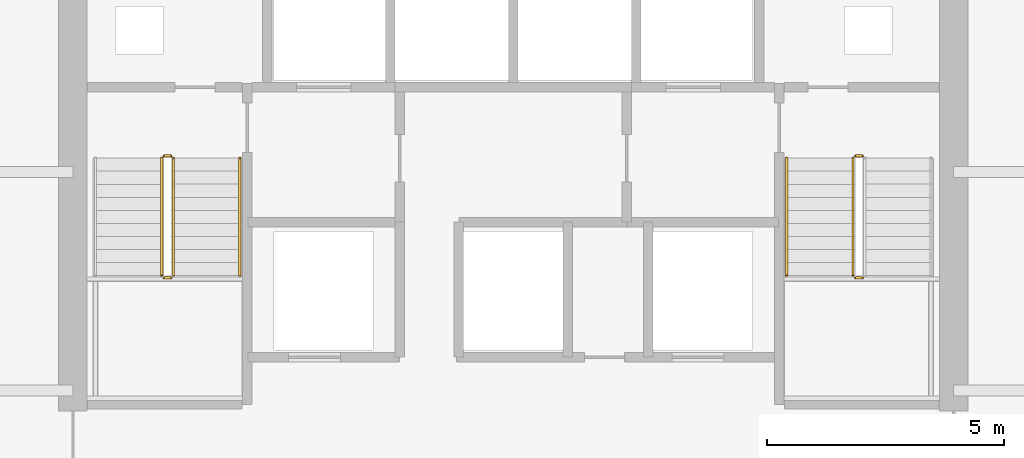
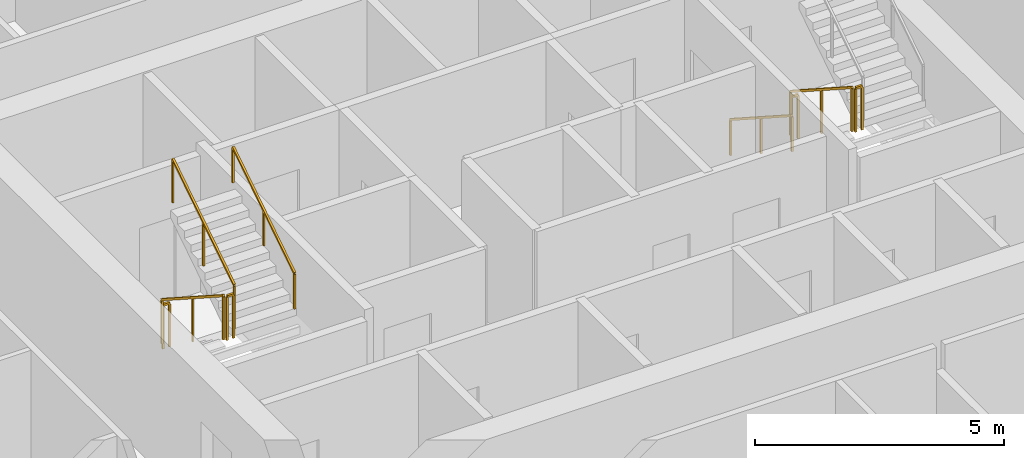
# One storey, part 11 of 12: 9 railings.
"""IFC4 building model written with IfcOpenShell, lengths in metres."""

from ifc_helpers import new_model, si_unit, direction, frame, origin, origin_2d, place, context, subcontext, project, spatial, rectangle, extrude, material, type_object, element, save


model = new_model("IFC4")

# Units and contexts
model_context = context("Model", 3, precision=1e-05, world=origin(), true_north=direction((0.0, 1.0)))
body_context = subcontext(model_context, "Body", "Model", "MODEL_VIEW")
ifc_project = project(units=[si_unit("LENGTHUNIT", "METRE"), si_unit("AREAUNIT", "SQUARE_METRE"), si_unit("VOLUMEUNIT", "CUBIC_METRE"), si_unit("PLANEANGLEUNIT", "RADIAN"), si_unit("MASSUNIT", "GRAM", prefix="KILO")], contexts=[model_context])

# Site, building, storey
site_placement = place(None, origin())
site = spatial("IfcSite", under=ifc_project, at=site_placement, CompositionType="ELEMENT")
building_placement = place(site_placement, origin())
building = spatial("IfcBuilding", under=site, at=building_placement, Name="Cinnabar Lancet Tower", CompositionType="ELEMENT")
storey_placement = place(building_placement, frame((0.0, 0.0, 153.5)))
storey = spatial("IfcBuildingStorey", under=building, at=storey_placement, Name="L40", CompositionType="ELEMENT", Elevation=153.5)

# Railings
ifc_material_1 = material(Name="Painted galvanized steel balustrade", Category="steel")
railing_type_1 = type_object("IfcRailingType", Name="GUARD-STAIR", PredefinedType="GUARDRAIL", material=ifc_material_1)
railing_1_placement = place(storey_placement, frame((24.97509765625, 28.39990234375, 0.177490234375)))
element("IfcRailing", 1, at=railing_1_placement, inside=storey, type_object=railing_type_1, Name="L40 ST-1 stair guard 1", PredefinedType="GUARDRAIL", context=body_context, shape_type="SweptSolid", body=[
    extrude(rectangle(XDim=0.048095703125, YDim=0.048095703125, at=origin_2d()), frame((0.0, 0.0, 1.076171875), z_axis=(0.0, -0.840183358697, 0.542302428327), x_axis=(1.0, 0.0, 0.0)), (0.0, 0.0, 1.0), 2.945556640625),
    extrude(rectangle(XDim=0.0419921875, YDim=0.0419921875, at=origin_2d()), origin(), (0.0, 0.0, 1.0), 1.052001953125),
    extrude(rectangle(XDim=0.0419921875, YDim=0.0419921875, at=origin_2d()), frame((0.0, -1.2373046875, 0.798828125)), (0.0, 0.0, 1.0), 1.052001953125),
    extrude(rectangle(XDim=0.0419921875, YDim=0.0419921875, at=origin_2d()), frame((0.0, -2.474853515625, 1.597412109375)), (0.0, 0.0, 1.0), 1.052001953125),
])
railing_2_placement = place(storey_placement, frame((25.02490234375, 25.875, 1.77490234375)))
element("IfcRailing", 2, at=railing_2_placement, inside=storey, type_object=railing_type_1, Name="L40 ST-1 stair guard 2", PredefinedType="GUARDRAIL", context=body_context, shape_type="SweptSolid", body=[
    extrude(rectangle(XDim=0.048095703125, YDim=0.048095703125, at=origin_2d()), frame((0.0, 0.0, 1.076171875), z_axis=(1.0, 0.0, 0.0), x_axis=(0.0, 1.0, 0.0)), (0.0, 0.0, 1.0), 0.150146484375),
    extrude(rectangle(XDim=0.0419921875, YDim=0.0419921875, at=origin_2d()), origin(), (0.0, 0.0, 1.0), 1.052001953125),
    extrude(rectangle(XDim=0.0419921875, YDim=0.0419921875, at=origin_2d()), frame((0.150146484375, 0.0, 0.0)), (0.0, 0.0, 1.0), 1.052001953125),
])
railing_3_placement = place(storey_placement, frame((25.22509765625, 25.925048828125, 1.952392578125)))
element("IfcRailing", 3, at=railing_3_placement, inside=storey, type_object=railing_type_1, Name="L40 ST-1 stair guard 3", PredefinedType="GUARDRAIL", context=body_context, shape_type="SweptSolid", body=[
    extrude(rectangle(XDim=0.048095703125, YDim=0.048095703125, at=origin_2d()), frame((0.0, 0.0, 1.076171875), z_axis=(0.0, 0.84014559416, 0.542360932049), x_axis=(-1.0, 0.0, 0.0)), (0.0, 0.0, 1.0), 2.94580078125),
    extrude(rectangle(XDim=0.0419921875, YDim=0.0419921875, at=origin_2d()), origin(), (0.0, 0.0, 1.0), 1.052001953125),
    extrude(rectangle(XDim=0.0419921875, YDim=0.0419921875, at=origin_2d()), frame((0.0, 1.2373046875, 0.798828125)), (0.0, 0.0, 1.0), 1.052001953125),
    extrude(rectangle(XDim=0.0419921875, YDim=0.0419921875, at=origin_2d()), frame((0.0, 2.474853515625, 1.59765625)), (0.0, 0.0, 1.0), 1.052001953125),
])
railing_4_placement = place(storey_placement, frame((25.02490234375, 28.449951171875, 0.0)))
element("IfcRailing", 4, at=railing_4_placement, inside=storey, type_object=railing_type_1, Name="L40 ST-1 stair guard 4", PredefinedType="GUARDRAIL", context=body_context, shape_type="SweptSolid", body=[
    extrude(rectangle(XDim=0.048095703125, YDim=0.048095703125, at=origin_2d()), frame((0.0, 0.0, 1.076171875), z_axis=(1.0, 0.0, 0.0), x_axis=(0.0, 1.0, 0.0)), (0.0, 0.0, 1.0), 0.150146484375),
    extrude(rectangle(XDim=0.0419921875, YDim=0.0419921875, at=origin_2d()), origin(), (0.0, 0.0, 1.0), 1.052001953125),
    extrude(rectangle(XDim=0.0419921875, YDim=0.0419921875, at=origin_2d()), frame((0.150146484375, 0.0, 0.0)), (0.0, 0.0, 1.0), 1.052001953125),
])
railing_5_placement = place(storey_placement, frame((39.574951171875, 28.39990234375, 0.177490234375)))
element("IfcRailing", 5, at=railing_5_placement, inside=storey, type_object=railing_type_1, Name="L40 ST-2 stair guard 1", PredefinedType="GUARDRAIL", context=body_context, shape_type="SweptSolid", body=[
    extrude(rectangle(XDim=0.048095703125, YDim=0.048095703125, at=origin_2d()), frame((0.0, 0.0, 1.076171875), z_axis=(0.0, -0.840183358697, 0.542302428327), x_axis=(1.0, 0.0, 0.0)), (0.0, 0.0, 1.0), 2.945556640625),
    extrude(rectangle(XDim=0.0419921875, YDim=0.0419921875, at=origin_2d()), origin(), (0.0, 0.0, 1.0), 1.052001953125),
    extrude(rectangle(XDim=0.0419921875, YDim=0.0419921875, at=origin_2d()), frame((0.0, -1.2373046875, 0.798828125)), (0.0, 0.0, 1.0), 1.052001953125),
    extrude(rectangle(XDim=0.0419921875, YDim=0.0419921875, at=origin_2d()), frame((0.0, -2.474853515625, 1.597412109375)), (0.0, 0.0, 1.0), 1.052001953125),
])
for number, where, name in (
    (6, (39.625, 25.875, 1.77490234375), "L40 ST-2 stair guard 2"),
    (7, (39.625, 28.449951171875, 0.0), "L40 ST-2 stair guard 4"),
):
    element("IfcRailing", number, at=place(storey_placement, frame(where)), inside=storey, type_object=railing_type_1, Name=name, PredefinedType="GUARDRAIL", context=body_context, shape_type="SweptSolid", body=[
        extrude(rectangle(XDim=0.048095703125, YDim=0.048095703125, at=origin_2d()), frame((0.0, 0.0, 1.076171875), z_axis=(1.0, 0.0, 0.0), x_axis=(0.0, 1.0, 0.0)), (0.0, 0.0, 1.0), 0.14990234375),
        extrude(rectangle(XDim=0.0419921875, YDim=0.0419921875, at=origin_2d()), origin(), (0.0, 0.0, 1.0), 1.052001953125),
        extrude(rectangle(XDim=0.0419921875, YDim=0.0419921875, at=origin_2d()), frame((0.14990234375, 0.0, 0.0)), (0.0, 0.0, 1.0), 1.052001953125),
    ])
ifc_material_2 = material(Name="Brushed stainless steel handrail", Category="steel")
railing_type_2 = type_object("IfcRailingType", Name="HANDRAIL-STAIR", PredefinedType="HANDRAIL", material=ifc_material_2)
railing_6_placement = place(storey_placement, frame((26.625, 25.925048828125, 1.952392578125)))
element("IfcRailing", 8, at=railing_6_placement, inside=storey, type_object=railing_type_2, Name="L40 ST-1 stair handrail 2", PredefinedType="HANDRAIL", context=body_context, shape_type="SweptSolid", body=[
    extrude(rectangle(XDim=0.048095703125, YDim=0.048095703125, at=origin_2d()), frame((0.0, 0.0, 0.8759765625), z_axis=(0.0, 0.84014559416, 0.542360932049), x_axis=(-1.0, 0.0, 0.0)), (0.0, 0.0, 1.0), 2.94580078125),
    extrude(rectangle(XDim=0.0419921875, YDim=0.0419921875, at=origin_2d()), origin(), (0.0, 0.0, 1.0), 0.851806640625),
    extrude(rectangle(XDim=0.0419921875, YDim=0.0419921875, at=origin_2d()), frame((0.0, 1.2373046875, 0.798828125)), (0.0, 0.0, 1.0), 0.851806640625),
    extrude(rectangle(XDim=0.0419921875, YDim=0.0419921875, at=origin_2d()), frame((0.0, 2.474853515625, 1.59765625)), (0.0, 0.0, 1.0), 0.851806640625),
])
railing_7_placement = place(storey_placement, frame((38.175048828125, 28.39990234375, 0.177490234375)))
element("IfcRailing", 9, at=railing_7_placement, inside=storey, type_object=railing_type_2, Name="L40 ST-2 stair handrail 1", PredefinedType="HANDRAIL", context=body_context, shape_type="SweptSolid", body=[
    extrude(rectangle(XDim=0.048095703125, YDim=0.048095703125, at=origin_2d()), frame((0.0, 0.0, 0.8759765625), z_axis=(0.0, -0.840183358697, 0.542302428327), x_axis=(1.0, 0.0, 0.0)), (0.0, 0.0, 1.0), 2.945556640625),
    extrude(rectangle(XDim=0.0419921875, YDim=0.0419921875, at=origin_2d()), origin(), (0.0, 0.0, 1.0), 0.851806640625),
    extrude(rectangle(XDim=0.0419921875, YDim=0.0419921875, at=origin_2d()), frame((0.0, -1.2373046875, 0.798828125)), (0.0, 0.0, 1.0), 0.851806640625),
    extrude(rectangle(XDim=0.0419921875, YDim=0.0419921875, at=origin_2d()), frame((0.0, -2.474853515625, 1.597412109375)), (0.0, 0.0, 1.0), 0.851806640625),
])

save(model, "model.ifc")
